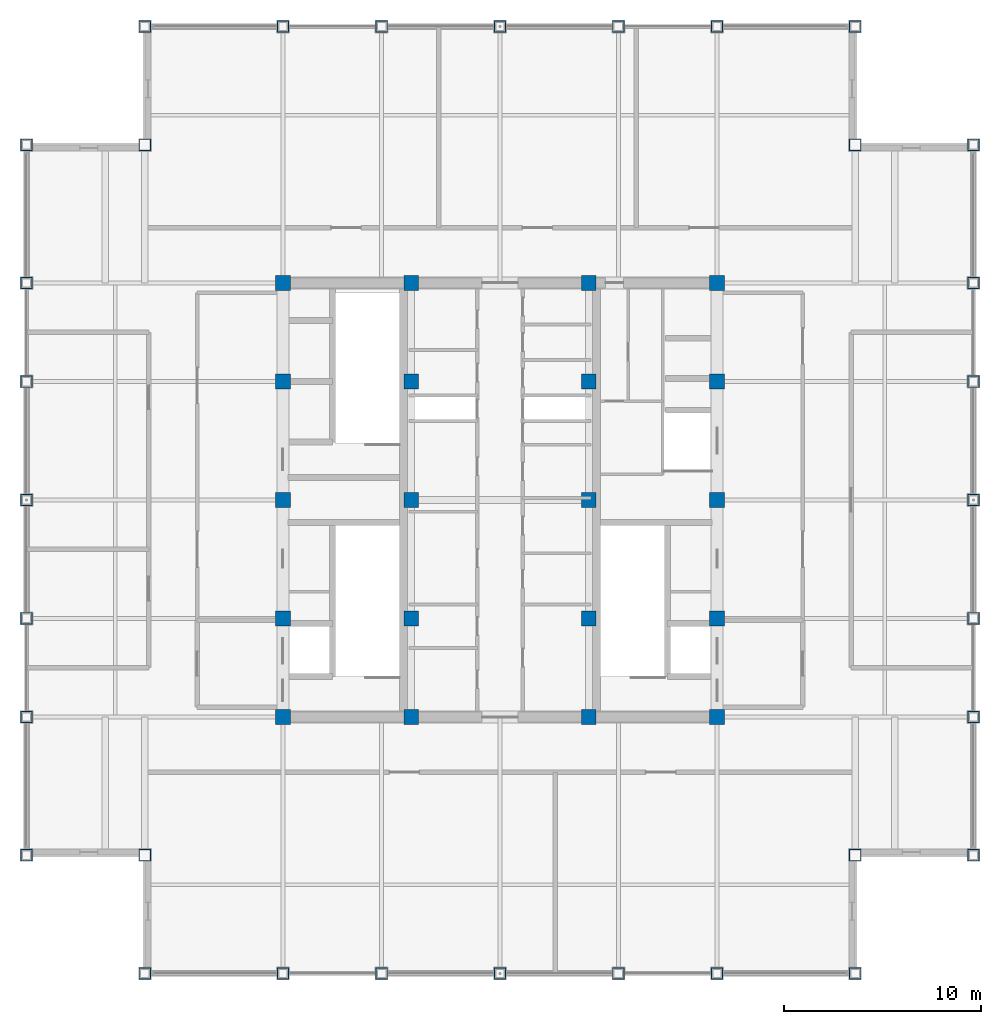
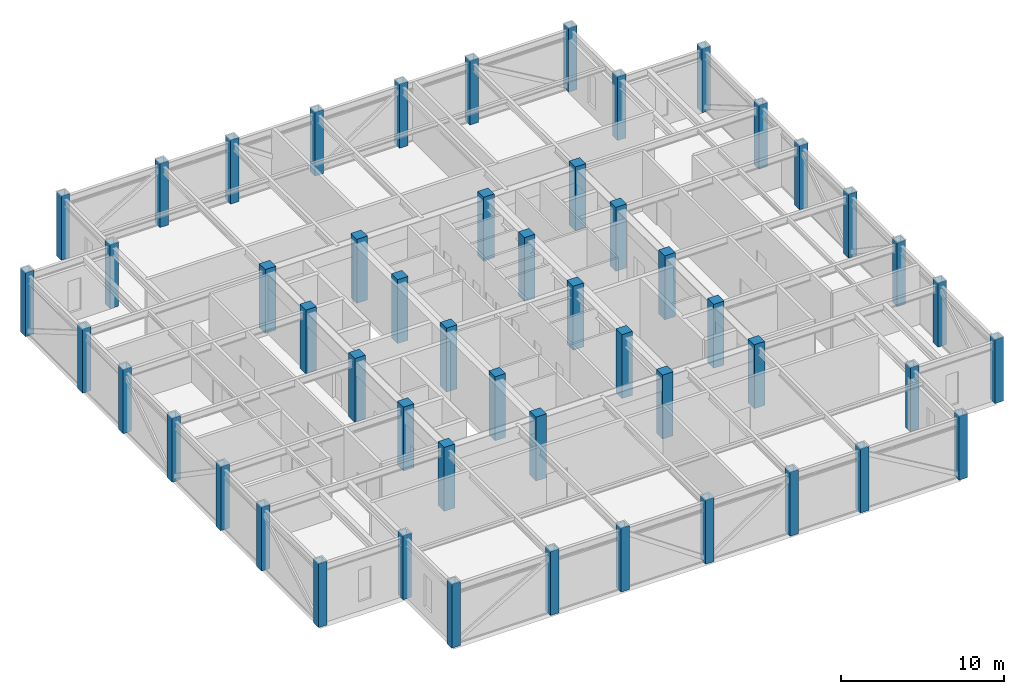
# One storey, part 1 of 27: 52 columns.
"""IFC4 building model written with IfcOpenShell, lengths in metres."""

import ifcopenshell
import ifcopenshell.guid

model = None  # the IFC model being written
_history = None  # IfcOwnerHistory: only IFC2X3 demands one
_inside = {}  # id of a spatial element -> (the spatial element, [elements in it])
_under = {}  # id of a project, library or spatial element -> (it, [spatial elements below it])
_declared = {}  # id of a project -> (the project, [libraries it declares])
_typed = {}  # id of a type object -> (the type object, [elements of that type])
_made_of = {}  # id of a material, layer set ... -> (it, [elements and type objects made of it])


def new_model(schema):
    """Start an empty IFC model of exactly this schema.

    Asked for "IFC4X3", IfcOpenShell would pick the latest addendum, in which some entities
    have other attributes; the version numbers below select the first issue.
    IFC2X3 requires an IfcOwnerHistory on every rooted entity: one is made here for all.
    """
    global model, _history
    if schema == "IFC4X3":
        model = ifcopenshell.file(schema_version=(4, 3, 0, 0))
    else:
        model = ifcopenshell.file(schema=schema)
    _inside.clear()
    _under.clear()
    _declared.clear()
    _typed.clear()
    _made_of.clear()
    _history = None
    if model.schema == "IFC2X3":
        org = make("IfcOrganization", Name="unknown")
        user = make(
            "IfcPersonAndOrganization",
            ThePerson=make("IfcPerson", FamilyName="unknown"),
            TheOrganization=org,
        )
        app = make(
            "IfcApplication",
            ApplicationDeveloper=org,
            Version="unknown",
            ApplicationFullName="unknown",
            ApplicationIdentifier="unknown",
        )
        _history = make(
            "IfcOwnerHistory",
            OwningUser=user,
            OwningApplication=app,
            ChangeAction="ADDED",
            CreationDate=0,
        )
    return model


def make(cls, **values):
    """One entity of the class cls with the attributes given. An attribute that is None is left unset."""
    return model.create_entity(
        cls, **{name: value for name, value in values.items() if value is not None}
    )


def rooted(cls, **values):
    """An entity with a GlobalId (a new one), such as an element, a storey or a relation."""
    return make(cls, GlobalId=ifcopenshell.guid.new(), OwnerHistory=_history, **values)


def si_unit(unit_type, name, prefix=None):
    """IfcSIUnit, for example si_unit("LENGTHUNIT", "METRE", prefix="MILLI")."""
    return make("IfcSIUnit", UnitType=unit_type, Prefix=prefix, Name=name)


def assignment(units):
    """IfcUnitAssignment: the units of a project."""
    return None if units is None else make("IfcUnitAssignment", Units=units)


def point(xyz):
    """IfcCartesianPoint."""
    return None if xyz is None else make("IfcCartesianPoint", Coordinates=xyz)


def direction(xyz):
    """IfcDirection."""
    return None if xyz is None else make("IfcDirection", DirectionRatios=xyz)


def frame(location, z_axis=None, x_axis=None):
    """IfcAxis2Placement3D, a coordinate frame: its origin and axes. An axis left out is left unset."""
    return make(
        "IfcAxis2Placement3D",
        Location=point(location),
        Axis=direction(z_axis),
        RefDirection=direction(x_axis),
    )


def frame_2d(location, x_axis=None):
    """IfcAxis2Placement2D, a coordinate frame in the plane: its origin and x axis."""
    return make(
        "IfcAxis2Placement2D", Location=point(location), RefDirection=direction(x_axis)
    )


def origin():
    """The frame at (0, 0, 0) with its axes left unset."""
    return frame((0.0, 0.0, 0.0))


def origin_2d():
    """The frame at (0, 0) in the plane with its x axis left unset."""
    return frame_2d((0.0, 0.0))


def place(relative_to, where):
    """IfcLocalPlacement: puts the frame where relative to a parent placement (None: the world)."""
    return make(
        "IfcLocalPlacement", PlacementRelTo=relative_to, RelativePlacement=where
    )


def context(
    kind, dimensions, precision=None, world=None, true_north=None, identifier=None
):
    """IfcGeometricRepresentationContext, for example the 3D "Model" context."""
    return make(
        "IfcGeometricRepresentationContext",
        ContextIdentifier=identifier,
        ContextType=kind,
        CoordinateSpaceDimension=dimensions,
        Precision=precision,
        WorldCoordinateSystem=world,
        TrueNorth=true_north,
    )


def subcontext(parent, identifier, kind, view, scale=None):
    """IfcGeometricRepresentationSubContext, for example "Body" below "Model"."""
    return make(
        "IfcGeometricRepresentationSubContext",
        ContextIdentifier=identifier,
        ContextType=kind,
        ParentContext=parent,
        TargetScale=scale,
        TargetView=view,
    )


def project(units=None, contexts=None):
    """IfcProject with its units and contexts."""
    return rooted(
        "IfcProject",
        Name="project",
        RepresentationContexts=contexts,
        UnitsInContext=assignment(units),
    )


def spatial(cls, under=None, at=None, **own):
    """A site, building, storey or space (cls), placed at a placement, below another one or the project."""
    s = rooted(cls, ObjectPlacement=at, **own)
    if under is not None:
        _under.setdefault(under.id(), (under, []))[1].append(s)
    return s


def profile(cls, at=None, kind="AREA", **sizes):
    """A parametric profile (cls). Its sizes go by their IFC names, for example OverallWidth=200.0."""
    return make(cls, ProfileType=kind, Position=at, **sizes)


def rectangle(**sizes):
    """IfcRectangleProfileDef."""
    return profile("IfcRectangleProfileDef", **sizes)


def hollow_rectangle(**sizes):
    """IfcRectangleHollowProfileDef."""
    return profile("IfcRectangleHollowProfileDef", **sizes)


def extrude(swept, where, along, depth):
    """IfcExtrudedAreaSolid: the profile swept, set in the frame where, extruded along a direction by depth."""
    return make(
        "IfcExtrudedAreaSolid",
        SweptArea=swept,
        Position=where,
        ExtrudedDirection=direction(along),
        Depth=depth,
    )


def shape(context_of_items, identifier, shape_type, items):
    """IfcShapeRepresentation: the items that make up one representation, for example the "Body"."""
    return make(
        "IfcShapeRepresentation",
        ContextOfItems=context_of_items,
        RepresentationIdentifier=identifier,
        RepresentationType=shape_type,
        Items=items,
    )


def source(mapping_origin, context_of_items, identifier, shape_type, items):
    """IfcRepresentationMap: a shape defined once, which mapped items show again and again."""
    return make(
        "IfcRepresentationMap",
        MappingOrigin=mapping_origin,
        MappedRepresentation=shape(context_of_items, identifier, shape_type, items),
    )


def transform(
    local_origin,
    x_axis=None,
    y_axis=None,
    z_axis=None,
    scale=None,
    scale2=None,
    scale3=None,
    uniform=True,
):
    """IfcCartesianTransformationOperator3D, or its non-uniform kind. x_axis, y_axis, z_axis: its Axis1, 2, 3."""
    if uniform:
        return make(
            "IfcCartesianTransformationOperator3D",
            Axis1=direction(x_axis),
            Axis2=direction(y_axis),
            LocalOrigin=point(local_origin),
            Scale=scale,
            Axis3=direction(z_axis),
        )
    return make(
        "IfcCartesianTransformationOperator3DnonUniform",
        Axis1=direction(x_axis),
        Axis2=direction(y_axis),
        LocalOrigin=point(local_origin),
        Scale=scale,
        Axis3=direction(z_axis),
        Scale2=scale2,
        Scale3=scale3,
    )


def mapped(mapping_source, mapping_target):
    """IfcMappedItem: shows the shape of a source again, moved by a transform."""
    return make(
        "IfcMappedItem", MappingSource=mapping_source, MappingTarget=mapping_target
    )


def material(Name=None, Category=None):
    """IfcMaterial."""
    return make("IfcMaterial", Name=Name, Category=Category)


def material_profile(
    of_material, cross_section, Name=None, Category=None, Priority=None
):
    """IfcMaterialProfile: a cross section and its material."""
    return make(
        "IfcMaterialProfile",
        Name=Name,
        Material=of_material,
        Profile=cross_section,
        Priority=Priority,
        Category=Category,
    )


def profile_set(profiles, Name=None, composite=None):
    """IfcMaterialProfileSet."""
    return make(
        "IfcMaterialProfileSet",
        Name=Name,
        MaterialProfiles=profiles,
        CompositeProfile=composite,
    )


def made_of(thing, what):
    """Note that an element or type object is made of a material, layer set ...; save() writes the relation."""
    if what is not None:
        _made_of.setdefault(what.id(), (what, []))[1].append(thing)
    return thing


def type_object(cls, material=None, **own):
    """A type object (cls), such as IfcWallType, which elements share."""
    return made_of(rooted(cls, **own), material)


def element(
    cls,
    number,
    at=None,
    inside=None,
    cuts=None,
    type_object=None,
    material=None,
    context=None,
    identifier="Body",
    shape_type=None,
    held_by="IfcProductDefinitionShape",
    body=None,
    shapes=None,
    **own,
):
    """One element of the class cls, such as IfcWall. Its Tag is "e" and its number.

    at: its placement. inside: the storey or other place that contains it. cuts: it is an
    opening in that element (IfcRelVoidsElement). A single representation is given by context,
    identifier, shape_type and body (its items); several are given by shapes. held_by: the class
    of the entity that holds the representations. save() writes the other relations.
    """
    e = rooted(cls, Tag="e%d" % number, ObjectPlacement=at, **own)
    if body is not None:
        shapes = [shape(context, identifier, shape_type, body)]
    if shapes is not None:
        e.Representation = make(held_by, Representations=shapes)
    if inside is not None:
        _inside.setdefault(inside.id(), (inside, []))[1].append(e)
    if cuts is not None:
        rooted(
            "IfcRelVoidsElement", RelatingBuildingElement=cuts, RelatedOpeningElement=e
        )
    if type_object is not None:
        _typed.setdefault(type_object.id(), (type_object, []))[1].append(e)
    return made_of(e, material)


def aggregate(whole, parts):
    """IfcRelAggregates: a whole, such as a stair, and the parts it consists of."""
    return rooted("IfcRelAggregates", RelatingObject=whole, RelatedObjects=parts)


def save(model, path):
    """Write the relations noted so far, then the file.

    IfcRelAggregates (storeys below a building ...), IfcRelContainedInSpatialStructure (elements
    in a storey), IfcRelDefinesByType, IfcRelAssociatesMaterial and IfcRelDeclares: one each for
    every whole, place, type object, material and project.
    """
    for whole, parts in _under.values():
        aggregate(whole, parts)
    for where, things in _inside.values():
        rooted(
            "IfcRelContainedInSpatialStructure",
            RelatedElements=things,
            RelatingStructure=where,
        )
    for kind, things in _typed.values():
        rooted("IfcRelDefinesByType", RelatedObjects=things, RelatingType=kind)
    for what, things in _made_of.values():
        rooted("IfcRelAssociatesMaterial", RelatedObjects=things, RelatingMaterial=what)
    for by, libraries in _declared.values():
        rooted("IfcRelDeclares", RelatingContext=by, RelatedDefinitions=libraries)
    model.write(path)


model = new_model("IFC4")

# Units and contexts
model_context = context("Model", 3, precision=1e-05, world=origin(), true_north=direction((0.0, 1.0)))
body_context = subcontext(model_context, "Body", "Model", "MODEL_VIEW")
ifc_project = project(units=[si_unit("LENGTHUNIT", "METRE"), si_unit("AREAUNIT", "SQUARE_METRE"), si_unit("VOLUMEUNIT", "CUBIC_METRE"), si_unit("PLANEANGLEUNIT", "RADIAN"), si_unit("MASSUNIT", "GRAM", prefix="KILO")], contexts=[model_context])

# Site, building, storey
site_placement = place(None, origin())
site = spatial("IfcSite", under=ifc_project, at=site_placement, CompositionType="ELEMENT")
building_placement = place(site_placement, origin())
building = spatial("IfcBuilding", under=site, at=building_placement, Name="Khorayat Bourse Tower", CompositionType="ELEMENT")
storey_placement = place(building_placement, frame((0.0, 0.0, 399.5)))
storey = spatial("IfcBuildingStorey", under=building, at=storey_placement, Name="L94", CompositionType="ELEMENT", Elevation=399.5)

# Columns
ifc_material_1 = material(Name="Concrete C52/65", Category="concrete")
ifc_material_profile_1 = material_profile(ifc_material_1, rectangle(XDim=0.75, YDim=0.75, at=origin_2d()), Name="RC 750x750")
ifc_profile_set_1 = profile_set([ifc_material_profile_1], Name="Concrete C52/65")
column_type_1 = type_object("IfcColumnType", Name="COL-CORE-750", PredefinedType="COLUMN", material=ifc_profile_set_1)
shared_shape_1 = source(origin(), body_context, "Body", "SweptSolid", [
    extrude(rectangle(XDim=0.75, YDim=0.75, at=origin_2d()), origin(), (0.0, 0.0, 1.0), 4.800048828125),
])
for number, where, z_axis, x_axis, name in (
    (1, (-11.0, -11.0, 0.0), (0.0, 0.0, 1.0), (1.0, 0.0, 0.0), "L94 Column 013"),
    (2, (-11.0, -6.0, 0.0), (0.0, 0.0, 1.0), (1.0, 0.0, 0.0), "L94 Column 014"),
    (3, (-11.0, 0.0, 0.0), (0.0, 0.0, 1.0), (1.0, 0.0, 0.0), "L94 Column 015"),
    (4, (-11.0, 6.0, 0.0), (0.0, 0.0, 1.0), (1.0, 0.0, 0.0), "L94 Column 016"),
    (5, (-11.0, 11.0, 0.0), (0.0, 0.0, 1.0), (1.0, 0.0, 0.0), "L94 Column 017"),
    (6, (-4.5, -11.0, 0.0), (0.0, 0.0, 1.0), (1.0, 0.0, 0.0), "L94 Column 021"),
    (7, (-4.5, -6.0, 0.0), (0.0, 0.0, 1.0), (1.0, 0.0, 0.0), "L94 Column 022"),
    (8, (-4.5, 0.0, 0.0), (0.0, 0.0, 1.0), (1.0, 0.0, 0.0), "L94 Column 023"),
    (9, (-4.5, 6.0, 0.0), (0.0, 0.0, 1.0), (1.0, 0.0, 0.0), "L94 Column 024"),
    (10, (-4.5, 11.0, 0.0), (0.0, 0.0, 1.0), (1.0, 0.0, 0.0), "L94 Column 025"),
    (11, (4.5, -11.0, 0.0), (0.0, 0.0, 1.0), (1.0, 0.0, 0.0), "L94 Column 028"),
    (12, (4.5, -6.0, 0.0), (0.0, 0.0, 1.0), (1.0, 0.0, 0.0), "L94 Column 029"),
    (13, (4.5, 0.0, 0.0), (0.0, 0.0, 1.0), (1.0, 0.0, 0.0), "L94 Column 030"),
    (14, (4.5, 6.0, 0.0), (0.0, 0.0, 1.0), (1.0, 0.0, 0.0), "L94 Column 031"),
    (15, (4.5, 11.0, 0.0), (0.0, 0.0, 1.0), (1.0, 0.0, 0.0), "L94 Column 032"),
    (16, (11.0, -11.0, 0.0), (0.0, 0.0, 1.0), (1.0, 0.0, 0.0), "L94 Column 036"),
    (17, (11.0, -6.0, 0.0), (0.0, 0.0, 1.0), (1.0, 0.0, 0.0), "L94 Column 037"),
    (18, (11.0, 0.0, 0.0), (0.0, 0.0, 1.0), (1.0, 0.0, 0.0), "L94 Column 038"),
    (19, (11.0, 6.0, 0.0), (0.0, 0.0, 1.0), (1.0, 0.0, 0.0), "L94 Column 039"),
    (20, (11.0, 11.0, 0.0), (0.0, 0.0, 1.0), (1.0, 0.0, 0.0), "L94 Column 040"),
):
    element("IfcColumn", number, at=place(storey_placement, frame(where, z_axis=z_axis, x_axis=x_axis)), inside=storey, type_object=column_type_1, Name=name, PredefinedType="COLUMN", context=body_context, shape_type="MappedRepresentation", body=[
        mapped(shared_shape_1, transform((0.0, 0.0, 0.0), scale=1.0)),
    ])
ifc_material_2 = material(Name="Steel EN 10025-2 S355J2", Category="steel")
ifc_material_profile_2 = material_profile(ifc_material_2, hollow_rectangle(XDim=0.60009765625, YDim=0.60009765625, WallThickness=0.034912109375, at=origin_2d()), Name="BOX 600x600x35")
ifc_profile_set_2 = profile_set([ifc_material_profile_2], Name="Steel EN 10025-2 S355J2")
column_type_2 = type_object("IfcColumnType", Name="COL-CROWN-600", PredefinedType="COLUMN", material=ifc_profile_set_2)
shared_shape_2 = source(origin(), body_context, "Body", "SweptSolid", [
    extrude(hollow_rectangle(XDim=0.60009765625, YDim=0.60009765625, WallThickness=0.034912109375, at=origin_2d()), origin(), (0.0, 0.0, 1.0), 4.800048828125),
])
for number, where, z_axis, x_axis, name in (
    (21, (-24.0, -18.0, 0.0), (0.0, 0.0, 1.0), (1.0, 0.0, 0.0), "L94 Column 001"),
    (22, (-24.0, -11.0, 0.0), (0.0, 0.0, 1.0), (1.0, 0.0, 0.0), "L94 Column 002"),
    (23, (-24.0, -6.0, 0.0), (0.0, 0.0, 1.0), (1.0, 0.0, 0.0), "L94 Column 003"),
    (24, (-24.0, 0.0, 0.0), (0.0, 0.0, 1.0), (1.0, 0.0, 0.0), "L94 Column 004"),
    (25, (-24.0, 6.0, 0.0), (0.0, 0.0, 1.0), (1.0, 0.0, 0.0), "L94 Column 005"),
    (26, (-24.0, 11.0, 0.0), (0.0, 0.0, 1.0), (1.0, 0.0, 0.0), "L94 Column 006"),
    (27, (-24.0, 18.0, 0.0), (0.0, 0.0, 1.0), (1.0, 0.0, 0.0), "L94 Column 007"),
    (28, (-18.0, -24.0, 0.0), (0.0, 0.0, 1.0), (1.0, 0.0, 0.0), "L94 Column 008"),
    (29, (-18.0, -18.0, 0.0), (0.0, 0.0, 1.0), (1.0, 0.0, 0.0), "L94 Column 009"),
    (30, (-18.0, 18.0, 0.0), (0.0, 0.0, 1.0), (1.0, 0.0, 0.0), "L94 Column 010"),
    (31, (-18.0, 24.0, 0.0), (0.0, 0.0, 1.0), (1.0, 0.0, 0.0), "L94 Column 011"),
    (32, (-11.0, -24.0, 0.0), (0.0, 0.0, 1.0), (1.0, 0.0, 0.0), "L94 Column 012"),
    (33, (-11.0, 24.0, 0.0), (0.0, 0.0, 1.0), (1.0, 0.0, 0.0), "L94 Column 018"),
    (34, (-6.0, -24.0, 0.0), (0.0, 0.0, 1.0), (1.0, 0.0, 0.0), "L94 Column 019"),
    (35, (-6.0, 24.0, 0.0), (0.0, 0.0, 1.0), (1.0, 0.0, 0.0), "L94 Column 020"),
    (36, (0.0, -24.0, 0.0), (0.0, 0.0, 1.0), (1.0, 0.0, 0.0), "L94 Column 026"),
    (37, (0.0, 24.0, 0.0), (0.0, 0.0, 1.0), (1.0, 0.0, 0.0), "L94 Column 027"),
    (38, (6.0, -24.0, 0.0), (0.0, 0.0, 1.0), (1.0, 0.0, 0.0), "L94 Column 033"),
    (39, (6.0, 24.0, 0.0), (0.0, 0.0, 1.0), (1.0, 0.0, 0.0), "L94 Column 034"),
    (40, (11.0, -24.0, 0.0), (0.0, 0.0, 1.0), (1.0, 0.0, 0.0), "L94 Column 035"),
    (41, (11.0, 24.0, 0.0), (0.0, 0.0, 1.0), (1.0, 0.0, 0.0), "L94 Column 041"),
    (42, (18.0, -24.0, 0.0), (0.0, 0.0, 1.0), (1.0, 0.0, 0.0), "L94 Column 042"),
    (43, (18.0, -18.0, 0.0), (0.0, 0.0, 1.0), (1.0, 0.0, 0.0), "L94 Column 043"),
    (44, (18.0, 18.0, 0.0), (0.0, 0.0, 1.0), (1.0, 0.0, 0.0), "L94 Column 044"),
    (45, (18.0, 24.0, 0.0), (0.0, 0.0, 1.0), (1.0, 0.0, 0.0), "L94 Column 045"),
    (46, (24.0, -18.0, 0.0), (0.0, 0.0, 1.0), (1.0, 0.0, 0.0), "L94 Column 046"),
    (47, (24.0, -11.0, 0.0), (0.0, 0.0, 1.0), (1.0, 0.0, 0.0), "L94 Column 047"),
    (48, (24.0, -6.0, 0.0), (0.0, 0.0, 1.0), (1.0, 0.0, 0.0), "L94 Column 048"),
    (49, (24.0, 0.0, 0.0), (0.0, 0.0, 1.0), (1.0, 0.0, 0.0), "L94 Column 049"),
    (50, (24.0, 6.0, 0.0), (0.0, 0.0, 1.0), (1.0, 0.0, 0.0), "L94 Column 050"),
    (51, (24.0, 11.0, 0.0), (0.0, 0.0, 1.0), (1.0, 0.0, 0.0), "L94 Column 051"),
    (52, (24.0, 18.0, 0.0), (0.0, 0.0, 1.0), (1.0, 0.0, 0.0), "L94 Column 052"),
):
    element("IfcColumn", number, at=place(storey_placement, frame(where, z_axis=z_axis, x_axis=x_axis)), inside=storey, type_object=column_type_2, Name=name, PredefinedType="COLUMN", context=body_context, shape_type="MappedRepresentation", body=[
        mapped(shared_shape_2, transform((0.0, 0.0, 0.0), scale=1.0)),
    ])

save(model, "model.ifc")
